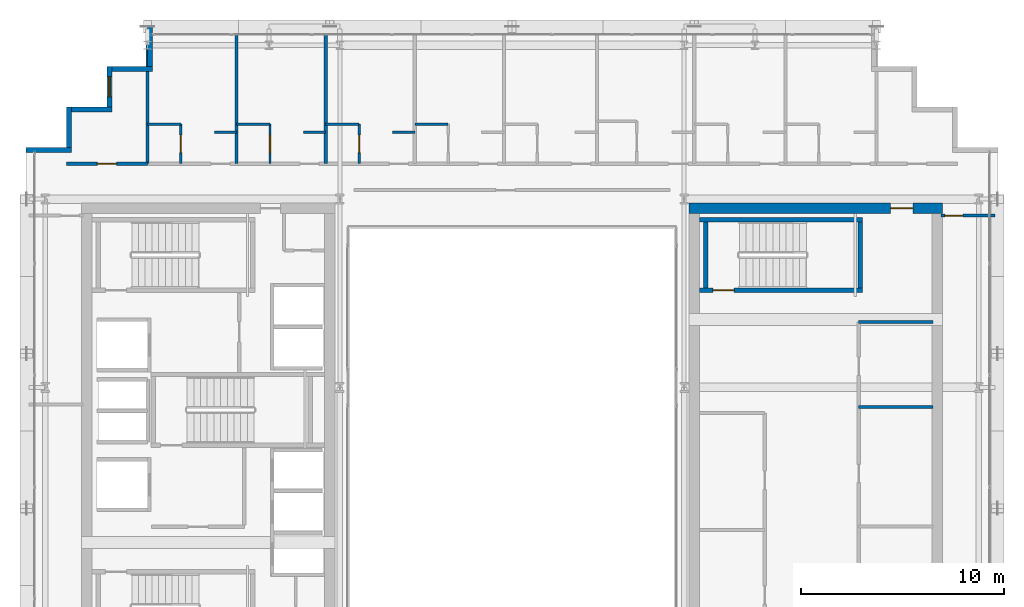
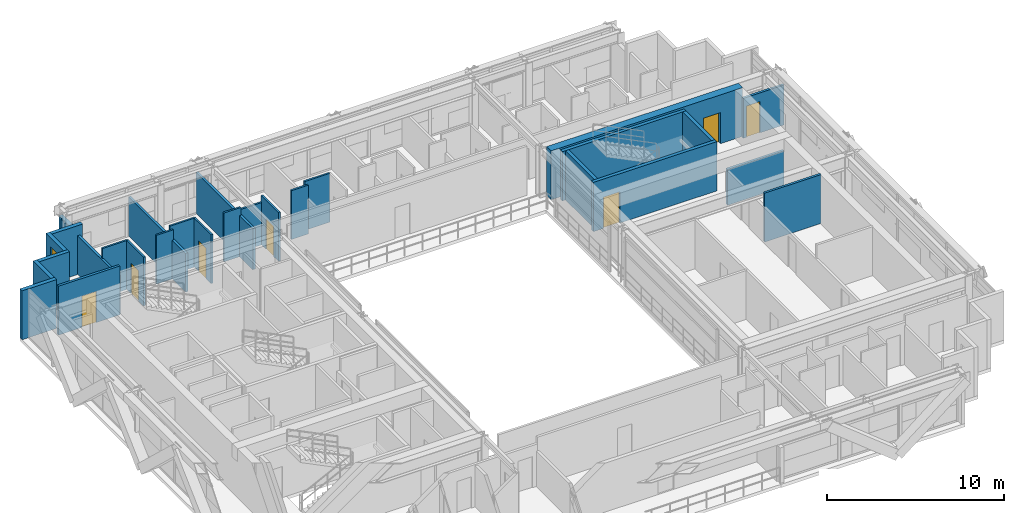
# One storey, part 32 of 38: 28 walls, 7 doors, 1 window, 8 openings.
"""IFC4 building model written with IfcOpenShell, lengths in metres."""

from ifc_helpers import new_model, si_unit, direction, frame, frame_2d, origin, place, context, subcontext, project, spatial, rectangle, extrude, source, transform, mapped, material, layer, layer_set, type_object, element, fill, save


model = new_model("IFC4")

# Units and contexts
model_context = context("Model", 3, precision=1e-05, world=origin(), true_north=direction((0.0, 1.0)))
body_context = subcontext(model_context, "Body", "Model", "MODEL_VIEW")
ifc_project = project(units=[si_unit("LENGTHUNIT", "METRE"), si_unit("AREAUNIT", "SQUARE_METRE"), si_unit("VOLUMEUNIT", "CUBIC_METRE"), si_unit("PLANEANGLEUNIT", "RADIAN"), si_unit("MASSUNIT", "GRAM", prefix="KILO")], contexts=[model_context])

# Site, building, storey
site_placement = place(None, origin())
site = spatial("IfcSite", under=ifc_project, at=site_placement, CompositionType="ELEMENT")
building_placement = place(site_placement, origin())
building = spatial("IfcBuilding", under=site, at=building_placement, Name="Ocotamira Hotel", CompositionType="ELEMENT")
storey_placement = place(building_placement, frame((0.0, 0.0, 170.39990234375)))
storey = spatial("IfcBuildingStorey", under=building, at=storey_placement, Name="L42", CompositionType="ELEMENT", Elevation=170.39990234375)

# Wall, opening, door
ifc_material_1 = material(Name="Concrete C50/60", Category="concrete")
ifc_layer_1 = layer(ifc_material_1, 0.5)
ifc_layer_set_1 = layer_set([ifc_layer_1], Name="Concrete C50/60")
wall_type_1 = type_object("IfcWallType", Name="WL-CORE-500", PredefinedType="SHEAR", material=ifc_layer_set_1)
wall_1_placement = place(storey_placement, frame((40.75, 37.0, 0.0), z_axis=(0.0, 0.0, 1.0), x_axis=(1.0, 0.0, 0.0)))
wall_1 = element("IfcWall", 1, at=wall_1_placement, inside=storey, type_object=wall_type_1, Name="L42 Shear Core Wall ECORE-N", PredefinedType="SHEAR", context=body_context, shape_type="SweptSolid", body=[
    extrude(rectangle(XDim=12.5, YDim=0.5, at=frame_2d((6.25, 0.0))), origin(), (0.0, 0.0, 1.0), 3.3701171875),
])
opening_1_placement = place(wall_1_placement, frame((9.949951171875, 0.0, 0.0)))
opening_1 = element("IfcOpeningElement", 2, at=opening_1_placement, cuts=wall_1, Name="Opening D-FR1", PredefinedType="OPENING", context=body_context, shape_type="SweptSolid", body=[
    extrude(rectangle(XDim=1.10009765625, YDim=2.14990234375, at=frame_2d((0.550048828125, 1.074951171875))), frame((0.0, 0.260009765625, 0.0), z_axis=(0.0, -1.0, 0.0), x_axis=(1.0, 0.0, 0.0)), (0.0, 0.0, 1.0), 0.52001953125),
])
ifc_material_2 = material(Name="Fire-rated acoustic timber-veneer door", Category="wood")
door_type_1 = type_object("IfcDoorType", Name="DR-FIRE-1100", OperationType="NOTDEFINED", PredefinedType="DOOR", material=ifc_material_2)
shared_shape_1 = source(origin(), body_context, "Body", "SweptSolid", [
    extrude(rectangle(XDim=1.10009765625, YDim=2.14990234375, at=frame_2d((0.550048828125, 1.074951171875))), frame((0.0, 0.02490234375, 0.0), z_axis=(0.0, -1.0, 0.0), x_axis=(1.0, 0.0, 0.0)), (0.0, 0.0, 1.0), 0.050048828125),
])
door_1_placement = place(opening_1_placement, origin())
door_1 = element("IfcDoor", 3, at=door_1_placement, inside=storey, type_object=door_type_1, Name="L42 Door ID-L42-ELOB-N-D [ID-L42-ELOB-N-D]", OperationType="SINGLE_SWING_LEFT", OverallHeight=2.14990234375, OverallWidth=1.10009765625, PredefinedType="DOOR", context=body_context, shape_type="MappedRepresentation", body=[
    mapped(shared_shape_1, transform((0.0, 0.0, 0.0), scale=1.0)),
])
fill(opening_1, door_1)

# Walls
ifc_material_3 = material(Name="Precast concrete C45/55", Category="concrete")
ifc_layer_2 = layer(ifc_material_3, 0.25)
ifc_layer_set_2 = layer_set([ifc_layer_2], Name="Precast concrete C45/55")
wall_type_2 = type_object("IfcWallType", Name="WL-EXT-SER-250", PredefinedType="SOLIDWALL", material=ifc_layer_set_2)
wall_2_placement = place(storey_placement, frame((14.125, 46.0, 0.0), z_axis=(0.0, 0.0, 1.0), x_axis=(0.0, -1.0, 0.0)))
element("IfcWall", 4, at=wall_2_placement, inside=storey, type_object=wall_type_2, Name="L42 Serrated Corner Wall 13", PredefinedType="SOLIDWALL", context=body_context, shape_type="SweptSolid", body=[
    extrude(rectangle(XDim=2.0, YDim=0.25, at=frame_2d((1.0, 0.0))), origin(), (0.0, 0.0, 1.0), 2.677001953125),
])
wall_3_placement = place(storey_placement, frame((14.25, 43.875, 0.0), z_axis=(0.0, 0.0, 1.0), x_axis=(-1.0, 0.0, 0.0)))
element("IfcWall", 5, at=wall_3_placement, inside=storey, type_object=wall_type_2, Name="L42 Serrated Corner Wall 14", PredefinedType="SOLIDWALL", context=body_context, shape_type="SweptSolid", body=[
    extrude(rectangle(XDim=2.0, YDim=0.25, at=frame_2d((1.0, 0.0))), origin(), (0.0, 0.0, 1.0), 3.3701171875),
])

# Wall, opening, window
wall_4_placement = place(storey_placement, frame((12.125, 44.0, 0.0), z_axis=(0.0, 0.0, 1.0), x_axis=(0.0, -1.0, 0.0)))
wall_4 = element("IfcWall", 6, at=wall_4_placement, inside=storey, type_object=wall_type_2, Name="L42 Serrated Corner Wall 15", PredefinedType="SOLIDWALL", context=body_context, shape_type="SweptSolid", body=[
    extrude(rectangle(XDim=2.0, YDim=0.25, at=frame_2d((1.0, 0.0))), origin(), (0.0, 0.0, 1.0), 3.3701171875),
])
opening_2_placement = place(wall_4_placement, frame((0.5, 0.0, 0.85009765625)))
opening_2 = element("IfcOpeningElement", 7, at=opening_2_placement, cuts=wall_4, Name="Opening WN-2", PredefinedType="OPENING", context=body_context, shape_type="SweptSolid", body=[
    extrude(rectangle(XDim=1.0, YDim=1.89990234375, at=frame_2d((0.5, 0.949951171875))), frame((0.0, 0.135009765625, 0.0), z_axis=(0.0, -1.0, 0.0), x_axis=(1.0, 0.0, 0.0)), (0.0, 0.0, 1.0), 0.27001953125),
])
ifc_material_4 = material(Name="Double-silver low-E solar glass", Category="glass")
window_type = type_object("IfcWindowType", Name="WIN-SER-1100", PartitioningType="SINGLE_PANEL", PredefinedType="WINDOW", material=ifc_material_4)
shared_shape_2 = source(origin(), body_context, "Body", "SweptSolid", [
    extrude(rectangle(XDim=1.0, YDim=1.89990234375, at=frame_2d((0.5, 0.949951171875))), frame((0.0, 0.030029296875, 0.0), z_axis=(0.0, -1.0, 0.0), x_axis=(1.0, 0.0, 0.0)), (0.0, 0.0, 1.0), 0.06005859375),
])
window_placement = place(opening_2_placement, origin())
window = element("IfcWindow", 8, at=window_placement, inside=storey, type_object=window_type, Name="L42 Serrated Corner Window 15", OverallHeight=1.89990234375, OverallWidth=1.0, PartitioningType="SINGLE_PANEL", PredefinedType="WINDOW", context=body_context, shape_type="MappedRepresentation", body=[
    mapped(shared_shape_2, transform((0.0, 0.0, 0.0), scale=1.0)),
])
fill(opening_2, window)

# Walls
for number, where, z_axis, x_axis, name in (
    (9, (12.25, 41.875, 0.0), (0.0, 0.0, 1.0), (-1.0, 0.0, 0.0), "L42 Serrated Corner Wall 16"),
    (10, (10.125, 42.0, 0.0), (0.0, 0.0, 1.0), (0.0, -1.0, 0.0), "L42 Serrated Corner Wall 17"),
):
    element("IfcWall", number, at=place(storey_placement, frame(where, z_axis=z_axis, x_axis=x_axis)), inside=storey, type_object=wall_type_2, Name=name, PredefinedType="SOLIDWALL", context=body_context, shape_type="SweptSolid", body=[
        extrude(rectangle(XDim=2.0, YDim=0.25, at=frame_2d((1.0, 0.0))), origin(), (0.0, 0.0, 1.0), 3.3701171875),
    ])
wall_5_placement = place(storey_placement, frame((10.25, 39.875, 0.0), z_axis=(0.0, 0.0, 1.0), x_axis=(-1.0, 0.0, 0.0)))
element("IfcWall", 11, at=wall_5_placement, inside=storey, type_object=wall_type_2, Name="L42 Serrated Corner Wall 18", PredefinedType="SOLIDWALL", context=body_context, shape_type="SweptSolid", body=[
    extrude(rectangle(XDim=2.25, YDim=0.25, at=frame_2d((1.125, 0.0))), origin(), (0.0, 0.0, 1.0), 3.3701171875),
])
ifc_material_5 = material(Name="Acoustic double-layer fire gypsum board partition", Category="gypsum")
ifc_layer_3 = layer(ifc_material_5, 0.159912109375)
ifc_layer_set_3 = layer_set([ifc_layer_3], Name="Acoustic double-layer fire gypsum board partition")
wall_type_3 = type_object("IfcWallType", Name="WL-FIRE-160", PredefinedType="PARTITIONING", material=ifc_layer_set_3)
wall_6_placement = place(storey_placement, frame((49.1201171875, 31.3798828125, 0.0), z_axis=(0.0, 0.0, 1.0), x_axis=(1.0, 0.0, 0.0)))
element("IfcWall", 12, at=wall_6_placement, inside=storey, type_object=wall_type_3, Name="L42 Interior Wall PW-L42-EC-FLOW-N", PredefinedType="PARTITIONING", context=body_context, shape_type="SweptSolid", body=[
    extrude(rectangle(XDim=3.679931640625, YDim=0.159912109375, at=frame_2d((1.83984375, 0.0))), origin(), (0.0, 0.0, 1.0), 2.47021484375),
])

# Wall, opening, door
wall_7_placement = place(storey_placement, frame((10.0, 39.199951171875, 0.0), z_axis=(0.0, 0.0, 1.0), x_axis=(1.0, 0.0, 0.0)))
wall_7 = element("IfcWall", 13, at=wall_7_placement, inside=storey, type_object=wall_type_3, Name="L42 Interior Wall PW-L42-Z3A-CNW-CW", PredefinedType="PARTITIONING", context=body_context, shape_type="SweptSolid", body=[
    extrude(rectangle(XDim=4.0, YDim=0.159912109375, at=frame_2d((2.0, 0.0))), origin(), (0.0, 0.0, 1.0), 3.3701171875),
])
opening_3_placement = place(wall_7_placement, frame((1.52001953125, 0.0, 0.0)))
opening_3 = element("IfcOpeningElement", 14, at=opening_3_placement, cuts=wall_7, Name="Opening D-SV4", PredefinedType="OPENING", context=body_context, shape_type="SweptSolid", body=[
    extrude(rectangle(XDim=0.9599609375, YDim=2.14990234375, at=frame_2d((0.47998046875, 1.074951171875))), frame((0.0, 0.08984375, 0.0), z_axis=(0.0, -1.0, 0.0), x_axis=(1.0, 0.0, 0.0)), (0.0, 0.0, 1.0), 0.179931640625),
])
ifc_material_6 = material(Name="Fire-rated accessible walnut salon door", Category="wood")
door_type_2 = type_object("IfcDoorType", Name="DR-SERV-960", OperationType="NOTDEFINED", PredefinedType="DOOR", material=ifc_material_6)
shared_shape_3 = source(origin(), body_context, "Body", "SweptSolid", [
    extrude(rectangle(XDim=0.9599609375, YDim=2.14990234375, at=frame_2d((0.47998046875, 1.074951171875))), frame((0.0, 0.02490234375, 0.0), z_axis=(0.0, -1.0, 0.0), x_axis=(1.0, 0.0, 0.0)), (0.0, 0.0, 1.0), 0.050048828125),
])
door_2_placement = place(opening_3_placement, origin())
door_2 = element("IfcDoor", 15, at=door_2_placement, inside=storey, type_object=door_type_2, Name="L42 Door ID-L42-Z3A-CNW-CD [ID-L42-Z3A-CNW-CD]", OperationType="SINGLE_SWING_LEFT", OverallHeight=2.14990234375, OverallWidth=0.9599609375, PredefinedType="DOOR", context=body_context, shape_type="MappedRepresentation", body=[
    mapped(shared_shape_3, transform((0.0, 0.0, 0.0), scale=1.0)),
])
fill(opening_3, door_2)

ifc_material_7 = material(Name="Moisture-resistant en-suite tile and gypsum partition", Category="gypsum")
ifc_layer_4 = layer(ifc_material_7, 0.1201171875)
ifc_layer_set_4 = layer_set([ifc_layer_4], Name="Moisture-resistant en-suite tile and gypsum partition")
wall_type_4 = type_object("IfcWallType", Name="WL-PART-120", PredefinedType="PARTITIONING", material=ifc_layer_set_4)
wall_8_placement = place(storey_placement, frame((15.64990234375, 39.199951171875, 0.0), z_axis=(0.0, 0.0, 1.0), x_axis=(0.0, 1.0, 0.0)))
wall_8 = element("IfcWall", 16, at=wall_8_placement, inside=storey, type_object=wall_type_4, Name="L42 Interior Wall PW-L42-Z3AN-BAE1", PredefinedType="PARTITIONING", context=body_context, shape_type="SweptSolid", body=[
    extrude(rectangle(XDim=1.949951171875, YDim=0.1201171875, at=frame_2d((0.97509765625, 0.0))), origin(), (0.0, 0.0, 1.0), 3.3701171875),
])
opening_4_placement = place(wall_8_placement, frame((0.544921875, 0.0, 0.0)))
opening_4 = element("IfcOpeningElement", 17, at=opening_4_placement, cuts=wall_8, Name="Opening D-BA1", PredefinedType="OPENING", context=body_context, shape_type="SweptSolid", body=[
    extrude(rectangle(XDim=0.860107421875, YDim=2.10009765625, at=frame_2d((0.43017578125, 1.050048828125))), frame((0.0, 0.070068359375, 0.0), z_axis=(0.0, -1.0, 0.0), x_axis=(1.0, 0.0, 0.0)), (0.0, 0.0, 1.0), 0.14013671875),
])
ifc_material_8 = material(Name="Moisture-sealed en-suite timber door", Category="wood")
door_type_3 = type_object("IfcDoorType", Name="DR-BATH-860", OperationType="NOTDEFINED", PredefinedType="DOOR", material=ifc_material_8)
shared_shape_4 = source(origin(), body_context, "Body", "SweptSolid", [
    extrude(rectangle(XDim=0.860107421875, YDim=2.10009765625, at=frame_2d((0.43017578125, 1.050048828125))), frame((0.0, 0.02490234375, 0.0), z_axis=(0.0, -1.0, 0.0), x_axis=(1.0, 0.0, 0.0)), (0.0, 0.0, 1.0), 0.050048828125),
])
door_3_placement = place(opening_4_placement, origin())
door_3 = element("IfcDoor", 18, at=door_3_placement, inside=storey, type_object=door_type_3, Name="L42 Door ID-L42-Z3AN-BAD1 [ID-L42-Z3AN-BAD1]", OperationType="SINGLE_SWING_RIGHT", OverallHeight=2.10009765625, OverallWidth=0.860107421875, PredefinedType="DOOR", context=body_context, shape_type="MappedRepresentation", body=[
    mapped(shared_shape_4, transform((0.0, 0.0, 0.0), scale=1.0)),
])
fill(opening_4, door_3)

# Walls
wall_9_placement = place(storey_placement, frame((14.0, 41.14990234375, 0.0), z_axis=(0.0, 0.0, 1.0), x_axis=(1.0, 0.0, 0.0)))
element("IfcWall", 19, at=wall_9_placement, inside=storey, type_object=wall_type_4, Name="L42 Interior Wall PW-L42-Z3AN-BAN1", PredefinedType="PARTITIONING", context=body_context, shape_type="SweptSolid", body=[
    extrude(rectangle(XDim=1.64990234375, YDim=0.1201171875, at=frame_2d((0.824951171875, 0.0))), origin(), (0.0, 0.0, 1.0), 3.3701171875),
])
wall_10_placement = place(storey_placement, frame((17.300048828125, 40.75, 0.0), z_axis=(0.0, 0.0, 1.0), x_axis=(1.0, 0.0, 0.0)))
element("IfcWall", 20, at=wall_10_placement, inside=storey, type_object=wall_type_4, Name="L42 Interior Wall PW-L42-Z3AN-DRN1", PredefinedType="PARTITIONING", context=body_context, shape_type="SweptSolid", body=[
    extrude(rectangle(XDim=1.099853515625, YDim=0.1201171875, at=frame_2d((0.5498046875, 0.0))), origin(), (0.0, 0.0, 1.0), 3.3701171875),
])

# Wall, opening, door
wall_11_placement = place(storey_placement, frame((20.050048828125, 39.199951171875, 0.0), z_axis=(0.0, 0.0, 1.0), x_axis=(0.0, 1.0, 0.0)))
wall_11 = element("IfcWall", 21, at=wall_11_placement, inside=storey, type_object=wall_type_4, Name="L42 Interior Wall PW-L42-Z3AN-BAE2", PredefinedType="PARTITIONING", context=body_context, shape_type="SweptSolid", body=[
    extrude(rectangle(XDim=1.949951171875, YDim=0.1201171875, at=frame_2d((0.97509765625, 0.0))), origin(), (0.0, 0.0, 1.0), 3.3701171875),
])
opening_5_placement = place(wall_11_placement, frame((0.544921875, 0.0, 0.0)))
opening_5 = element("IfcOpeningElement", 22, at=opening_5_placement, cuts=wall_11, Name="Opening D-BA1", PredefinedType="OPENING", context=body_context, shape_type="SweptSolid", body=[
    extrude(rectangle(XDim=0.860107421875, YDim=2.10009765625, at=frame_2d((0.43017578125, 1.050048828125))), frame((0.0, 0.070068359375, 0.0), z_axis=(0.0, -1.0, 0.0), x_axis=(1.0, 0.0, 0.0)), (0.0, 0.0, 1.0), 0.14013671875),
])
door_4_placement = place(opening_5_placement, origin())
door_4 = element("IfcDoor", 23, at=door_4_placement, inside=storey, type_object=door_type_3, Name="L42 Door ID-L42-Z3AN-BAD2 [ID-L42-Z3AN-BAD2]", OperationType="SINGLE_SWING_LEFT", OverallHeight=2.10009765625, OverallWidth=0.860107421875, PredefinedType="DOOR", context=body_context, shape_type="MappedRepresentation", body=[
    mapped(shared_shape_4, transform((0.0, 0.0, 0.0), scale=1.0)),
])
fill(opening_5, door_4)

# Walls
wall_12_placement = place(storey_placement, frame((18.39990234375, 41.14990234375, 0.0), z_axis=(0.0, 0.0, 1.0), x_axis=(1.0, 0.0, 0.0)))
element("IfcWall", 24, at=wall_12_placement, inside=storey, type_object=wall_type_4, Name="L42 Interior Wall PW-L42-Z3AN-BAN2", PredefinedType="PARTITIONING", context=body_context, shape_type="SweptSolid", body=[
    extrude(rectangle(XDim=1.650146484375, YDim=0.1201171875, at=frame_2d((0.8251953125, 0.0))), origin(), (0.0, 0.0, 1.0), 3.3701171875),
])
wall_13_placement = place(storey_placement, frame((21.699951171875, 40.75, 0.0), z_axis=(0.0, 0.0, 1.0), x_axis=(1.0, 0.0, 0.0)))
element("IfcWall", 25, at=wall_13_placement, inside=storey, type_object=wall_type_4, Name="L42 Interior Wall PW-L42-Z3AN-DRN2", PredefinedType="PARTITIONING", context=body_context, shape_type="SweptSolid", body=[
    extrude(rectangle(XDim=1.10009765625, YDim=0.1201171875, at=frame_2d((0.550048828125, 0.0))), origin(), (0.0, 0.0, 1.0), 3.3701171875),
])

# Wall, opening, door
wall_14_placement = place(storey_placement, frame((24.449951171875, 39.199951171875, 0.0), z_axis=(0.0, 0.0, 1.0), x_axis=(0.0, 1.0, 0.0)))
wall_14 = element("IfcWall", 26, at=wall_14_placement, inside=storey, type_object=wall_type_4, Name="L42 Interior Wall PW-L42-Z3AN-BAE3", PredefinedType="PARTITIONING", context=body_context, shape_type="SweptSolid", body=[
    extrude(rectangle(XDim=1.949951171875, YDim=0.1201171875, at=frame_2d((0.97509765625, 0.0))), origin(), (0.0, 0.0, 1.0), 3.3701171875),
])
opening_6_placement = place(wall_14_placement, frame((0.544921875, 0.0, 0.0)))
opening_6 = element("IfcOpeningElement", 27, at=opening_6_placement, cuts=wall_14, Name="Opening D-BA1", PredefinedType="OPENING", context=body_context, shape_type="SweptSolid", body=[
    extrude(rectangle(XDim=0.860107421875, YDim=2.10009765625, at=frame_2d((0.43017578125, 1.050048828125))), frame((0.0, 0.070068359375, 0.0), z_axis=(0.0, -1.0, 0.0), x_axis=(1.0, 0.0, 0.0)), (0.0, 0.0, 1.0), 0.14013671875),
])
door_5_placement = place(opening_6_placement, origin())
door_5 = element("IfcDoor", 28, at=door_5_placement, inside=storey, type_object=door_type_3, Name="L42 Door ID-L42-Z3AN-BAD3 [ID-L42-Z3AN-BAD3]", OperationType="SINGLE_SWING_RIGHT", OverallHeight=2.10009765625, OverallWidth=0.860107421875, PredefinedType="DOOR", context=body_context, shape_type="MappedRepresentation", body=[
    mapped(shared_shape_4, transform((0.0, 0.0, 0.0), scale=1.0)),
])
fill(opening_6, door_5)

# Walls
wall_15_placement = place(storey_placement, frame((22.800048828125, 41.14990234375, 0.0), z_axis=(0.0, 0.0, 1.0), x_axis=(1.0, 0.0, 0.0)))
element("IfcWall", 29, at=wall_15_placement, inside=storey, type_object=wall_type_4, Name="L42 Interior Wall PW-L42-Z3AN-BAN3", PredefinedType="PARTITIONING", context=body_context, shape_type="SweptSolid", body=[
    extrude(rectangle(XDim=1.64990234375, YDim=0.1201171875, at=frame_2d((0.824951171875, 0.0))), origin(), (0.0, 0.0, 1.0), 2.9130859375),
])
wall_16_placement = place(storey_placement, frame((26.10009765625, 40.75, 0.0), z_axis=(0.0, 0.0, 1.0), x_axis=(1.0, 0.0, 0.0)))
element("IfcWall", 30, at=wall_16_placement, inside=storey, type_object=wall_type_4, Name="L42 Interior Wall PW-L42-Z3AN-DRN3", PredefinedType="PARTITIONING", context=body_context, shape_type="SweptSolid", body=[
    extrude(rectangle(XDim=1.099853515625, YDim=0.1201171875, at=frame_2d((0.5498046875, 0.0))), origin(), (0.0, 0.0, 1.0), 3.3701171875),
])
wall_17_placement = place(storey_placement, frame((27.199951171875, 41.14990234375, 0.0), z_axis=(0.0, 0.0, 1.0), x_axis=(1.0, 0.0, 0.0)))
element("IfcWall", 31, at=wall_17_placement, inside=storey, type_object=wall_type_4, Name="L42 Interior Wall PW-L42-Z3AN-BAN4", PredefinedType="PARTITIONING", context=body_context, shape_type="SweptSolid", body=[
    extrude(rectangle(XDim=1.650146484375, YDim=0.1201171875, at=frame_2d((0.8251953125, 0.0))), origin(), (0.0, 0.0, 1.0), 3.3701171875),
])
ifc_material_9 = material(Name="Acoustic hospitality gypsum board partition", Category="gypsum")
ifc_layer_5 = layer(ifc_material_9, 0.14990234375)
ifc_layer_set_5 = layer_set([ifc_layer_5], Name="Acoustic hospitality gypsum board partition")
wall_type_5 = type_object("IfcWallType", Name="WL-PART-150", PredefinedType="PARTITIONING", material=ifc_layer_set_5)
wall_18_placement = place(storey_placement, frame((49.1201171875, 27.18994140625, 0.0), z_axis=(0.0, 0.0, 1.0), x_axis=(1.0, 0.0, 0.0)))
element("IfcWall", 32, at=wall_18_placement, inside=storey, type_object=wall_type_5, Name="L42 Interior Wall PW-L42-EC-FDIV2", PredefinedType="PARTITIONING", context=body_context, shape_type="SweptSolid", body=[
    extrude(rectangle(XDim=3.679931640625, YDim=0.14990234375, at=frame_2d((1.83984375, 0.0))), origin(), (0.0, 0.0, 1.0), 3.3701171875),
])

# Wall, opening, door
wall_19_placement = place(storey_placement, frame((53.179931640625, 36.639892578125, 0.0), z_axis=(0.0, 0.0, 1.0), x_axis=(1.0, 0.0, 0.0)))
wall_19 = element("IfcWall", 33, at=wall_19_placement, inside=storey, type_object=wall_type_5, Name="L42 Interior Wall PW-L42-Z3A-EF-WN", PredefinedType="PARTITIONING", context=body_context, shape_type="SweptSolid", body=[
    extrude(rectangle(XDim=2.66015625, YDim=0.14990234375, at=frame_2d((1.330078125, 0.0))), origin(), (0.0, 0.0, 1.0), 2.753173828125),
])
opening_7_placement = place(wall_19_placement, frame((0.199951171875, 0.0, 0.0)))
opening_7 = element("IfcOpeningElement", 34, at=opening_7_placement, cuts=wall_19, Name="Opening D-SV2", PredefinedType="OPENING", context=body_context, shape_type="SweptSolid", body=[
    extrude(rectangle(XDim=0.8798828125, YDim=2.14990234375, at=frame_2d((0.43994140625, 1.074951171875))), frame((0.0, 0.0849609375, 0.0), z_axis=(0.0, -1.0, 0.0), x_axis=(1.0, 0.0, 0.0)), (0.0, 0.0, 1.0), 0.169921875),
])
ifc_material_10 = material(Name="Fire-rated painted steel service door", Category="steel")
door_type_4 = type_object("IfcDoorType", Name="DR-SERV-880", OperationType="NOTDEFINED", PredefinedType="DOOR", material=ifc_material_10)
shared_shape_5 = source(origin(), body_context, "Body", "SweptSolid", [
    extrude(rectangle(XDim=0.8798828125, YDim=2.14990234375, at=frame_2d((0.43994140625, 1.074951171875))), frame((0.0, 0.02490234375, 0.0), z_axis=(0.0, -1.0, 0.0), x_axis=(1.0, 0.0, 0.0)), (0.0, 0.0, 1.0), 0.050048828125),
])
door_6_placement = place(opening_7_placement, origin())
door_6 = element("IfcDoor", 35, at=door_6_placement, inside=storey, type_object=door_type_4, Name="L42 Door ID-L42-Z3A-EF-DN [ID-L42-Z3A-EF-DN]", OperationType="SINGLE_SWING_LEFT", OverallHeight=2.14990234375, OverallWidth=0.8798828125, PredefinedType="DOOR", context=body_context, shape_type="MappedRepresentation", body=[
    mapped(shared_shape_5, transform((0.0, 0.0, 0.0), scale=1.0)),
])
fill(opening_7, door_6)

# Walls
ifc_material_11 = material(Name="Acoustic double-stud hospitality gypsum partition", Category="gypsum")
ifc_layer_6 = layer(ifc_material_11, 0.159912109375)
ifc_layer_set_6 = layer_set([ifc_layer_6], Name="Acoustic double-stud hospitality gypsum partition")
wall_type_6 = type_object("IfcWallType", Name="WL-PART-160", PredefinedType="PARTITIONING", material=ifc_layer_set_6)
for number, where, z_axis, x_axis, name in (
    (36, (14.0, 39.199951171875, 0.0), (0.0, 0.0, 1.0), (0.0, 1.0, 0.0), "L42 Interior Wall PW-L42-Z3AN-PW0"),
    (37, (18.39990234375, 39.199951171875, 0.0), (0.0, 0.0, 1.0), (0.0, 1.0, 0.0), "L42 Interior Wall PW-L42-Z3AN-PW1"),
):
    element("IfcWall", number, at=place(storey_placement, frame(where, z_axis=z_axis, x_axis=x_axis)), inside=storey, type_object=wall_type_6, Name=name, PredefinedType="PARTITIONING", context=body_context, shape_type="SweptSolid", body=[
        extrude(rectangle(XDim=6.43994140625, YDim=0.159912109375, at=frame_2d((3.219970703125, 0.0))), origin(), (0.0, 0.0, 1.0), 2.677001953125),
    ])
wall_20_placement = place(storey_placement, frame((22.800048828125, 39.199951171875, 0.0), z_axis=(0.0, 0.0, 1.0), x_axis=(0.0, 1.0, 0.0)))
element("IfcWall", 38, at=wall_20_placement, inside=storey, type_object=wall_type_6, Name="L42 Interior Wall PW-L42-Z3AN-PW2", PredefinedType="PARTITIONING", context=body_context, shape_type="SweptSolid", body=[
    extrude(rectangle(XDim=6.43994140625, YDim=0.159912109375, at=frame_2d((3.219970703125, 0.0))), origin(), (0.0, 0.0, 1.0), 2.8330078125),
])

# Wall, opening, door
ifc_layer_7 = layer(ifc_material_1, 0.219970703125)
ifc_layer_set_7 = layer_set([ifc_layer_7], Name="Concrete C50/60")
wall_type_7 = type_object("IfcWallType", Name="WL-STAIR-220", PredefinedType="SHEAR", material=ifc_layer_set_7)
wall_21_placement = place(storey_placement, frame((41.25, 32.93994140625, 0.0), z_axis=(0.0, 0.0, 1.0), x_axis=(1.0, 0.0, 0.0)))
wall_21 = element("IfcWall", 39, at=wall_21_placement, inside=storey, type_object=wall_type_7, Name="L42 Stair Shaft Structural Wall ST-4-S", PredefinedType="SHEAR", context=body_context, shape_type="SweptSolid", body=[
    extrude(rectangle(XDim=8.06005859375, YDim=0.219970703125, at=frame_2d((4.030029296875, 0.0))), origin(), (0.0, 0.0, 1.0), 3.400146484375),
])
opening_8_placement = place(wall_21_placement, frame((0.669921875, 0.0, 0.0)))
opening_8 = element("IfcOpeningElement", 40, at=opening_8_placement, cuts=wall_21, Name="Opening D-ST2", PredefinedType="OPENING", context=body_context, shape_type="SweptSolid", body=[
    extrude(rectangle(XDim=1.050048828125, YDim=2.14990234375, at=frame_2d((0.52490234375, 1.074951171875))), frame((0.0, 0.1201171875, 0.0), z_axis=(0.0, -1.0, 0.0), x_axis=(1.0, 0.0, 0.0)), (0.0, 0.0, 1.0), 0.239990234375),
])
ifc_material_12 = material(Name="Insulated painted hollow-metal fire exit door", Category="steel")
door_type_5 = type_object("IfcDoorType", Name="DR-STAIR-1050", OperationType="NOTDEFINED", PredefinedType="DOOR", material=ifc_material_12)
shared_shape_6 = source(origin(), body_context, "Body", "SweptSolid", [
    extrude(rectangle(XDim=1.050048828125, YDim=2.14990234375, at=frame_2d((0.52490234375, 1.074951171875))), frame((0.0, 0.02490234375, 0.0), z_axis=(0.0, -1.0, 0.0), x_axis=(1.0, 0.0, 0.0)), (0.0, 0.0, 1.0), 0.050048828125),
])
door_7_placement = place(opening_8_placement, origin())
door_7 = element("IfcDoor", 41, at=door_7_placement, inside=storey, type_object=door_type_5, Name="L42 Door ID-L42-STD-ST-4 [ID-L42-STD-ST-4]", OperationType="SINGLE_SWING_RIGHT", OverallHeight=2.14990234375, OverallWidth=1.050048828125, PredefinedType="DOOR", context=body_context, shape_type="MappedRepresentation", body=[
    mapped(shared_shape_6, transform((0.0, 0.0, 0.0), scale=1.0)),
])
fill(opening_8, door_7)

# Walls
wall_22_placement = place(storey_placement, frame((41.25, 36.43994140625, 0.0), z_axis=(0.0, 0.0, 1.0), x_axis=(1.0, 0.0, 0.0)))
element("IfcWall", 42, at=wall_22_placement, inside=storey, type_object=wall_type_7, Name="L42 Stair Shaft Structural Wall ST-4-N", PredefinedType="SHEAR", context=body_context, shape_type="SweptSolid", body=[
    extrude(rectangle(XDim=8.06005859375, YDim=0.219970703125, at=frame_2d((4.030029296875, 0.0))), origin(), (0.0, 0.0, 1.0), 3.400146484375),
])
for number, where, z_axis, x_axis, name in (
    (43, (41.56005859375, 33.050048828125, 0.0), (0.0, 0.0, 1.0), (0.0, 1.0, 0.0), "L42 Stair Shaft Structural Wall ST-4-W"),
    (44, (49.199951171875, 33.050048828125, 0.0), (0.0, 0.0, 1.0), (0.0, 1.0, 0.0), "L42 Stair Shaft Structural Wall ST-4-E"),
):
    element("IfcWall", number, at=place(storey_placement, frame(where, z_axis=z_axis, x_axis=x_axis)), inside=storey, type_object=wall_type_7, Name=name, PredefinedType="SHEAR", context=body_context, shape_type="SweptSolid", body=[
        extrude(rectangle(XDim=3.280029296875, YDim=0.219970703125, at=frame_2d((1.64013671875, 0.0))), origin(), (0.0, 0.0, 1.0), 3.400146484375),
    ])

save(model, "model.ifc")
